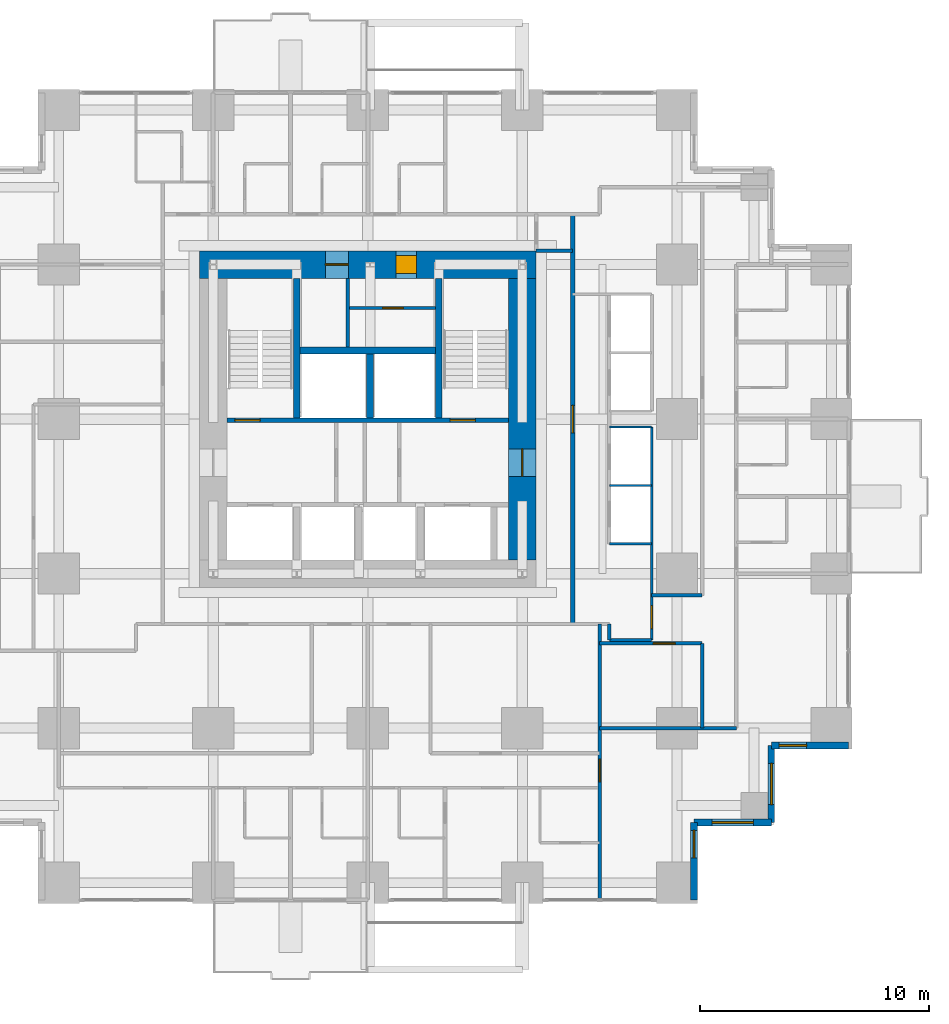
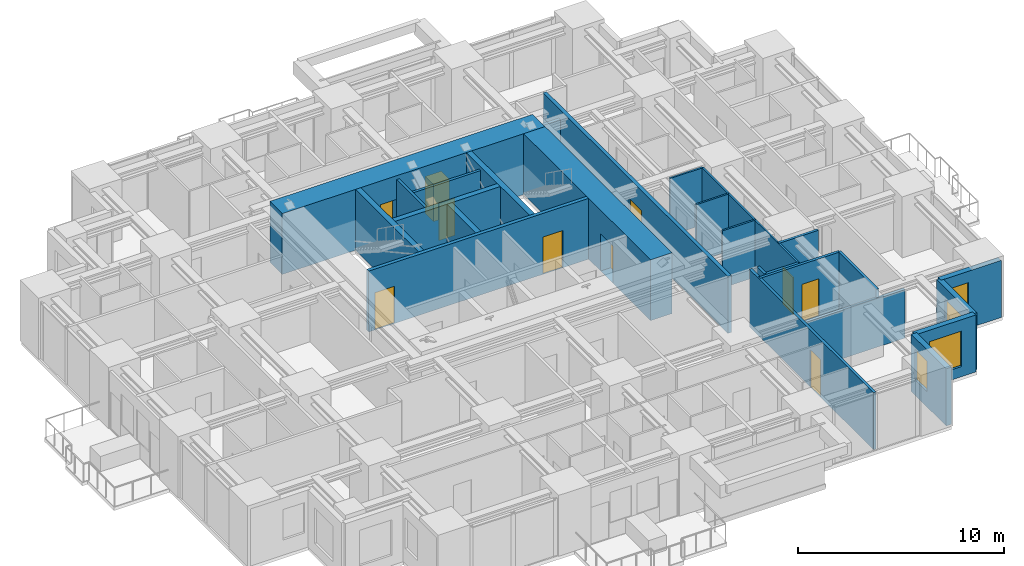
# One storey, part 9 of 13: 26 walls, 10 doors, 4 windows, 14 openings.
"""IFC4 building model written with IfcOpenShell, lengths in metres."""

import ifcopenshell
import ifcopenshell.guid

model = None  # the IFC model being written
_history = None  # IfcOwnerHistory: only IFC2X3 demands one
_inside = {}  # id of a spatial element -> (the spatial element, [elements in it])
_under = {}  # id of a project, library or spatial element -> (it, [spatial elements below it])
_declared = {}  # id of a project -> (the project, [libraries it declares])
_typed = {}  # id of a type object -> (the type object, [elements of that type])
_made_of = {}  # id of a material, layer set ... -> (it, [elements and type objects made of it])


def new_model(schema):
    """Start an empty IFC model of exactly this schema.

    Asked for "IFC4X3", IfcOpenShell would pick the latest addendum, in which some entities
    have other attributes; the version numbers below select the first issue.
    IFC2X3 requires an IfcOwnerHistory on every rooted entity: one is made here for all.
    """
    global model, _history
    if schema == "IFC4X3":
        model = ifcopenshell.file(schema_version=(4, 3, 0, 0))
    else:
        model = ifcopenshell.file(schema=schema)
    _inside.clear()
    _under.clear()
    _declared.clear()
    _typed.clear()
    _made_of.clear()
    _history = None
    if model.schema == "IFC2X3":
        org = make("IfcOrganization", Name="unknown")
        user = make(
            "IfcPersonAndOrganization",
            ThePerson=make("IfcPerson", FamilyName="unknown"),
            TheOrganization=org,
        )
        app = make(
            "IfcApplication",
            ApplicationDeveloper=org,
            Version="unknown",
            ApplicationFullName="unknown",
            ApplicationIdentifier="unknown",
        )
        _history = make(
            "IfcOwnerHistory",
            OwningUser=user,
            OwningApplication=app,
            ChangeAction="ADDED",
            CreationDate=0,
        )
    return model


def make(cls, **values):
    """One entity of the class cls with the attributes given. An attribute that is None is left unset."""
    return model.create_entity(
        cls, **{name: value for name, value in values.items() if value is not None}
    )


def rooted(cls, **values):
    """An entity with a GlobalId (a new one), such as an element, a storey or a relation."""
    return make(cls, GlobalId=ifcopenshell.guid.new(), OwnerHistory=_history, **values)


def si_unit(unit_type, name, prefix=None):
    """IfcSIUnit, for example si_unit("LENGTHUNIT", "METRE", prefix="MILLI")."""
    return make("IfcSIUnit", UnitType=unit_type, Prefix=prefix, Name=name)


def assignment(units):
    """IfcUnitAssignment: the units of a project."""
    return None if units is None else make("IfcUnitAssignment", Units=units)


def point(xyz):
    """IfcCartesianPoint."""
    return None if xyz is None else make("IfcCartesianPoint", Coordinates=xyz)


def direction(xyz):
    """IfcDirection."""
    return None if xyz is None else make("IfcDirection", DirectionRatios=xyz)


def frame(location, z_axis=None, x_axis=None):
    """IfcAxis2Placement3D, a coordinate frame: its origin and axes. An axis left out is left unset."""
    return make(
        "IfcAxis2Placement3D",
        Location=point(location),
        Axis=direction(z_axis),
        RefDirection=direction(x_axis),
    )


def frame_2d(location, x_axis=None):
    """IfcAxis2Placement2D, a coordinate frame in the plane: its origin and x axis."""
    return make(
        "IfcAxis2Placement2D", Location=point(location), RefDirection=direction(x_axis)
    )


def origin():
    """The frame at (0, 0, 0) with its axes left unset."""
    return frame((0.0, 0.0, 0.0))


def place(relative_to, where):
    """IfcLocalPlacement: puts the frame where relative to a parent placement (None: the world)."""
    return make(
        "IfcLocalPlacement", PlacementRelTo=relative_to, RelativePlacement=where
    )


def context(
    kind, dimensions, precision=None, world=None, true_north=None, identifier=None
):
    """IfcGeometricRepresentationContext, for example the 3D "Model" context."""
    return make(
        "IfcGeometricRepresentationContext",
        ContextIdentifier=identifier,
        ContextType=kind,
        CoordinateSpaceDimension=dimensions,
        Precision=precision,
        WorldCoordinateSystem=world,
        TrueNorth=true_north,
    )


def subcontext(parent, identifier, kind, view, scale=None):
    """IfcGeometricRepresentationSubContext, for example "Body" below "Model"."""
    return make(
        "IfcGeometricRepresentationSubContext",
        ContextIdentifier=identifier,
        ContextType=kind,
        ParentContext=parent,
        TargetScale=scale,
        TargetView=view,
    )


def project(units=None, contexts=None):
    """IfcProject with its units and contexts."""
    return rooted(
        "IfcProject",
        Name="project",
        RepresentationContexts=contexts,
        UnitsInContext=assignment(units),
    )


def spatial(cls, under=None, at=None, **own):
    """A site, building, storey or space (cls), placed at a placement, below another one or the project."""
    s = rooted(cls, ObjectPlacement=at, **own)
    if under is not None:
        _under.setdefault(under.id(), (under, []))[1].append(s)
    return s


def profile(cls, at=None, kind="AREA", **sizes):
    """A parametric profile (cls). Its sizes go by their IFC names, for example OverallWidth=200.0."""
    return make(cls, ProfileType=kind, Position=at, **sizes)


def rectangle(**sizes):
    """IfcRectangleProfileDef."""
    return profile("IfcRectangleProfileDef", **sizes)


def extrude(swept, where, along, depth):
    """IfcExtrudedAreaSolid: the profile swept, set in the frame where, extruded along a direction by depth."""
    return make(
        "IfcExtrudedAreaSolid",
        SweptArea=swept,
        Position=where,
        ExtrudedDirection=direction(along),
        Depth=depth,
    )


def shape(context_of_items, identifier, shape_type, items):
    """IfcShapeRepresentation: the items that make up one representation, for example the "Body"."""
    return make(
        "IfcShapeRepresentation",
        ContextOfItems=context_of_items,
        RepresentationIdentifier=identifier,
        RepresentationType=shape_type,
        Items=items,
    )


def material(Name=None, Category=None):
    """IfcMaterial."""
    return make("IfcMaterial", Name=Name, Category=Category)


def layer(
    of_material, thickness, ventilated=None, Name=None, Category=None, Priority=None
):
    """IfcMaterialLayer: one layer of a wall or slab, of a material (None: an air gap)."""
    return make(
        "IfcMaterialLayer",
        Material=of_material,
        LayerThickness=thickness,
        IsVentilated=ventilated,
        Name=Name,
        Category=Category,
        Priority=Priority,
    )


def layer_set(layers, Name=None):
    """IfcMaterialLayerSet."""
    return make("IfcMaterialLayerSet", MaterialLayers=layers, LayerSetName=Name)


def made_of(thing, what):
    """Note that an element or type object is made of a material, layer set ...; save() writes the relation."""
    if what is not None:
        _made_of.setdefault(what.id(), (what, []))[1].append(thing)
    return thing


def type_object(cls, material=None, **own):
    """A type object (cls), such as IfcWallType, which elements share."""
    return made_of(rooted(cls, **own), material)


def element(
    cls,
    number,
    at=None,
    inside=None,
    cuts=None,
    type_object=None,
    material=None,
    context=None,
    identifier="Body",
    shape_type=None,
    held_by="IfcProductDefinitionShape",
    body=None,
    shapes=None,
    **own,
):
    """One element of the class cls, such as IfcWall. Its Tag is "e" and its number.

    at: its placement. inside: the storey or other place that contains it. cuts: it is an
    opening in that element (IfcRelVoidsElement). A single representation is given by context,
    identifier, shape_type and body (its items); several are given by shapes. held_by: the class
    of the entity that holds the representations. save() writes the other relations.
    """
    e = rooted(cls, Tag="e%d" % number, ObjectPlacement=at, **own)
    if body is not None:
        shapes = [shape(context, identifier, shape_type, body)]
    if shapes is not None:
        e.Representation = make(held_by, Representations=shapes)
    if inside is not None:
        _inside.setdefault(inside.id(), (inside, []))[1].append(e)
    if cuts is not None:
        rooted(
            "IfcRelVoidsElement", RelatingBuildingElement=cuts, RelatedOpeningElement=e
        )
    if type_object is not None:
        _typed.setdefault(type_object.id(), (type_object, []))[1].append(e)
    return made_of(e, material)


def fill(opening, filler):
    """IfcRelFillsElement: the door or window that sits in an opening."""
    return rooted(
        "IfcRelFillsElement",
        RelatingOpeningElement=opening,
        RelatedBuildingElement=filler,
    )


def aggregate(whole, parts):
    """IfcRelAggregates: a whole, such as a stair, and the parts it consists of."""
    return rooted("IfcRelAggregates", RelatingObject=whole, RelatedObjects=parts)


def save(model, path):
    """Write the relations noted so far, then the file.

    IfcRelAggregates (storeys below a building ...), IfcRelContainedInSpatialStructure (elements
    in a storey), IfcRelDefinesByType, IfcRelAssociatesMaterial and IfcRelDeclares: one each for
    every whole, place, type object, material and project.
    """
    for whole, parts in _under.values():
        aggregate(whole, parts)
    for where, things in _inside.values():
        rooted(
            "IfcRelContainedInSpatialStructure",
            RelatedElements=things,
            RelatingStructure=where,
        )
    for kind, things in _typed.values():
        rooted("IfcRelDefinesByType", RelatedObjects=things, RelatingType=kind)
    for what, things in _made_of.values():
        rooted("IfcRelAssociatesMaterial", RelatedObjects=things, RelatingMaterial=what)
    for by, libraries in _declared.values():
        rooted("IfcRelDeclares", RelatingContext=by, RelatedDefinitions=libraries)
    model.write(path)


model = new_model("IFC4")

# Units and contexts
model_context = context("Model", 3, precision=1e-05, world=origin(), true_north=direction((0.0, 1.0)))
body_context = subcontext(model_context, "Body", "Model", "MODEL_VIEW")
ifc_project = project(units=[si_unit("LENGTHUNIT", "METRE"), si_unit("AREAUNIT", "SQUARE_METRE"), si_unit("VOLUMEUNIT", "CUBIC_METRE"), si_unit("PLANEANGLEUNIT", "RADIAN"), si_unit("MASSUNIT", "GRAM", prefix="KILO")], contexts=[model_context])

# Site, building, storey
site_placement = place(None, origin())
site = spatial("IfcSite", under=ifc_project, at=site_placement, CompositionType="ELEMENT")
building_placement = place(site_placement, origin())
building = spatial("IfcBuilding", under=site, at=building_placement, Name="Nyansa Garden Tower", CompositionType="ELEMENT")
storey_placement = place(building_placement, frame((0.0, 0.0, 101.699951171875)))
storey = spatial("IfcBuildingStorey", under=building, at=storey_placement, Name="L27", CompositionType="ELEMENT", Elevation=101.699951171875)

# Wall, openings, doors
ifc_material_1 = material(Name="Concrete C70/85", Category="concrete")
ifc_layer_1 = layer(ifc_material_1, 0.199951171875)
ifc_layer_set_1 = layer_set([ifc_layer_1], Name="Core inner wall CI200")
wall_type_1 = type_object("IfcWallType", Name="Core inner wall CI200", PredefinedType="SHEAR", material=ifc_layer_set_1)
wall_1_placement = place(storey_placement, frame((14.10009765625, 20.199951171875, 0.0), z_axis=(0.0, 0.0, 1.0), x_axis=(1.0, 0.0, 0.0)))
wall_1 = element("IfcWall", 1, at=wall_1_placement, inside=storey, type_object=wall_type_1, Name="Core inner wall L27", PredefinedType="SHEAR", context=body_context, shape_type="SweptSolid", body=[
    extrude(rectangle(XDim=12.2998046875, YDim=0.199951171875, at=frame_2d((6.14990234375, 0.0))), origin(), (0.0, 0.0, 1.0), 3.60009765625),
])
opening_1_placement = place(wall_1_placement, frame((0.35009765625, 0.0, 0.0)))
opening_1 = element("IfcOpeningElement", 2, at=opening_1_placement, cuts=wall_1, Name="Opening D05", PredefinedType="OPENING", context=body_context, shape_type="SweptSolid", body=[
    extrude(rectangle(XDim=1.10009765625, YDim=2.199951171875, at=frame_2d((0.550048828125, 1.10009765625))), frame((0.0, 0.10986328125, 0.0), z_axis=(0.0, -1.0, 0.0), x_axis=(1.0, 0.0, 0.0)), (0.0, 0.0, 1.0), 0.219970703125),
])
opening_2_placement = place(wall_1_placement, frame((9.75, 0.0, 0.0)))
opening_2 = element("IfcOpeningElement", 3, at=opening_2_placement, cuts=wall_1, Name="Opening D05", PredefinedType="OPENING", context=body_context, shape_type="SweptSolid", body=[
    extrude(rectangle(XDim=1.10009765625, YDim=2.199951171875, at=frame_2d((0.550048828125, 1.10009765625))), frame((0.0, 0.10986328125, 0.0), z_axis=(0.0, -1.0, 0.0), x_axis=(1.0, 0.0, 0.0)), (0.0, 0.0, 1.0), 0.219970703125),
])
ifc_material_2 = material(Name="Steel door, 120 minute fire resisting", Category="steel")
door_type_1 = type_object("IfcDoorType", Name="Stair door D05 1100x2200", OperationType="SINGLE_SWING_LEFT", PredefinedType="DOOR", material=ifc_material_2)
door_1_placement = place(opening_1_placement, origin())
door_1 = element("IfcDoor", 4, at=door_1_placement, inside=storey, type_object=door_type_1, Name="Stair S1 door", OperationType="SINGLE_SWING_LEFT", OverallHeight=2.199951171875, OverallWidth=1.10009765625, PredefinedType="DOOR", context=body_context, shape_type="SweptSolid", body=[
    extrude(rectangle(XDim=1.10009765625, YDim=2.199951171875, at=frame_2d((0.550048828125, 1.10009765625))), frame((0.0, 0.02490234375, 0.0), z_axis=(0.0, -1.0, 0.0), x_axis=(1.0, 0.0, 0.0)), (0.0, 0.0, 1.0), 0.050048828125),
])
fill(opening_1, door_1)
door_2_placement = place(opening_2_placement, origin())
door_2 = element("IfcDoor", 5, at=door_2_placement, inside=storey, type_object=door_type_1, Name="Stair S2 door", OperationType="SINGLE_SWING_LEFT", OverallHeight=2.199951171875, OverallWidth=1.10009765625, PredefinedType="DOOR", context=body_context, shape_type="SweptSolid", body=[
    extrude(rectangle(XDim=1.10009765625, YDim=2.199951171875, at=frame_2d((0.550048828125, 1.10009765625))), frame((0.0, 0.02490234375, 0.0), z_axis=(0.0, -1.0, 0.0), x_axis=(1.0, 0.0, 0.0)), (0.0, 0.0, 1.0), 0.050048828125),
])
fill(opening_2, door_2)

# Walls
ifc_material_3 = material(Name="Concrete C70/85", Category="concrete")
ifc_layer_2 = layer(ifc_material_3, 0.300048828125)
ifc_layer_set_2 = layer_set([ifc_layer_2], Name="Core inner wall CI300")
wall_type_2 = type_object("IfcWallType", Name="Core inner wall CI300", PredefinedType="SHEAR", material=ifc_layer_set_2)
for number, where, z_axis, x_axis, name in (
    (6, (17.14990234375, 20.300048828125, 0.0), (0.0, 0.0, 1.0), (0.0, 1.0, 0.0), "Core inner wall L27"),
    (7, (23.35009765625, 20.300048828125, 0.0), (0.0, 0.0, 1.0), (0.0, 1.0, 0.0), "Core inner wall L27"),
):
    element("IfcWall", number, at=place(storey_placement, frame(where, z_axis=z_axis, x_axis=x_axis)), inside=storey, type_object=wall_type_2, Name=name, PredefinedType="SHEAR", context=body_context, shape_type="SweptSolid", body=[
        extrude(rectangle(XDim=6.099853515625, YDim=0.300048828125, at=frame_2d((3.0498046875, 0.0))), origin(), (0.0, 0.0, 1.0), 3.60009765625),
    ])
wall_2_placement = place(storey_placement, frame((20.35009765625, 20.300048828125, 0.0), z_axis=(0.0, 0.0, 1.0), x_axis=(0.0, 1.0, 0.0)))
element("IfcWall", 8, at=wall_2_placement, inside=storey, type_object=wall_type_2, Name="Core inner wall L27", PredefinedType="SHEAR", context=body_context, shape_type="SweptSolid", body=[
    extrude(rectangle(XDim=2.800048828125, YDim=0.300048828125, at=frame_2d((1.39990234375, 0.0))), origin(), (0.0, 0.0, 1.0), 3.60009765625),
])
wall_3_placement = place(storey_placement, frame((17.300048828125, 23.25, 0.0), z_axis=(0.0, 0.0, 1.0), x_axis=(1.0, 0.0, 0.0)))
element("IfcWall", 9, at=wall_3_placement, inside=storey, type_object=wall_type_2, Name="Core inner wall L27", PredefinedType="SHEAR", context=body_context, shape_type="SweptSolid", body=[
    extrude(rectangle(XDim=5.89990234375, YDim=0.300048828125, at=frame_2d((2.949951171875, 0.0))), origin(), (0.0, 0.0, 1.0), 3.60009765625),
])

# Wall, opening, door
ifc_material_4 = material(Name="Concrete C80/95", Category="concrete")
ifc_layer_3 = layer(ifc_material_4, 1.199951171875)
ifc_layer_set_3 = layer_set([ifc_layer_3], Name="Core wall CW1200")
wall_type_3 = type_object("IfcWallType", Name="Core wall CW1200", PredefinedType="SHEAR", material=ifc_layer_set_3)
wall_4_placement = place(storey_placement, frame((27.0, 14.10009765625, 0.0), z_axis=(0.0, 0.0, 1.0), x_axis=(0.0, 1.0, 0.0)))
wall_4 = element("IfcWall", 10, at=wall_4_placement, inside=storey, type_object=wall_type_3, Name="Core wall E L27", PredefinedType="SHEAR", context=body_context, shape_type="SweptSolid", body=[
    extrude(rectangle(XDim=12.2998046875, YDim=1.199951171875, at=frame_2d((6.14990234375, 0.0))), origin(), (0.0, 0.0, 1.0), 3.60009765625),
])
opening_3_placement = place(wall_4_placement, frame((3.64990234375, 0.0, 0.0)))
opening_3 = element("IfcOpeningElement", 11, at=opening_3_placement, cuts=wall_4, Name="Opening D06", PredefinedType="OPENING", context=body_context, shape_type="SweptSolid", body=[
    extrude(rectangle(XDim=1.199951171875, YDim=2.199951171875, at=frame_2d((0.60009765625, 1.10009765625))), frame((0.0, 0.60986328125, 0.0), z_axis=(0.0, -1.0, 0.0), x_axis=(1.0, 0.0, 0.0)), (0.0, 0.0, 1.0), 1.219970703125),
])
ifc_material_5 = material(Name="Steel door, 120 minute fire resisting", Category="steel")
door_type_2 = type_object("IfcDoorType", Name="Lobby door D06 1200x2200", OperationType="DOUBLE_DOOR_SINGLE_SWING", PredefinedType="DOOR", material=ifc_material_5)
door_3_placement = place(opening_3_placement, origin())
door_3 = element("IfcDoor", 12, at=door_3_placement, inside=storey, type_object=door_type_2, Name="Lift lobby door east", OperationType="DOUBLE_DOOR_SINGLE_SWING", OverallHeight=2.199951171875, OverallWidth=1.199951171875, PredefinedType="DOOR", context=body_context, shape_type="SweptSolid", body=[
    extrude(rectangle(XDim=1.199951171875, YDim=2.199951171875, at=frame_2d((0.60009765625, 1.10009765625))), frame((0.0, 0.02490234375, 0.0), z_axis=(0.0, -1.0, 0.0), x_axis=(1.0, 0.0, 0.0)), (0.0, 0.0, 1.0), 0.050048828125),
])
fill(opening_3, door_3)

# Wall, openings, doors
wall_5_placement = place(storey_placement, frame((27.60009765625, 27.0, 0.0), z_axis=(0.0, 0.0, 1.0), x_axis=(-1.0, 0.0, 0.0)))
wall_5 = element("IfcWall", 13, at=wall_5_placement, inside=storey, type_object=wall_type_3, Name="Core wall N L27", PredefinedType="SHEAR", context=body_context, shape_type="SweptSolid", body=[
    extrude(rectangle(XDim=14.7001953125, YDim=1.199951171875, at=frame_2d((7.35009765625, 0.0))), origin(), (0.0, 0.0, 1.0), 3.60009765625),
])
opening_4_placement = place(wall_5_placement, frame((5.22509765625, 0.0, 0.0)))
opening_4 = element("IfcOpeningElement", 14, at=opening_4_placement, cuts=wall_5, Name="Opening D15", PredefinedType="OPENING", context=body_context, shape_type="SweptSolid", body=[
    extrude(rectangle(XDim=0.89990234375, YDim=2.199951171875, at=frame_2d((0.449951171875, 1.10009765625))), frame((0.0, 0.60986328125, 0.0), z_axis=(0.0, -1.0, 0.0), x_axis=(1.0, 0.0, 0.0)), (0.0, 0.0, 1.0), 1.219970703125),
])
opening_5_placement = place(wall_5_placement, frame((8.199951171875, 0.0, 0.0)))
opening_5 = element("IfcOpeningElement", 15, at=opening_5_placement, cuts=wall_5, Name="Opening D07", PredefinedType="OPENING", context=body_context, shape_type="SweptSolid", body=[
    extrude(rectangle(XDim=1.0, YDim=2.199951171875, at=frame_2d((0.5, 1.10009765625))), frame((0.0, 0.60986328125, 0.0), z_axis=(0.0, -1.0, 0.0), x_axis=(1.0, 0.0, 0.0)), (0.0, 0.0, 1.0), 1.219970703125),
])
ifc_material_6 = material(Name="Timber flush door, 60 minute fire resisting, self-closing", Category="wood")
door_type_3 = type_object("IfcDoorType", Name="Core room door D15 900x2200", OperationType="SINGLE_SWING_LEFT", PredefinedType="DOOR", material=ifc_material_6)
door_4_placement = place(opening_4_placement, origin())
door_4 = element("IfcDoor", 16, at=door_4_placement, inside=storey, type_object=door_type_3, Name="Core room door", OperationType="SINGLE_SWING_LEFT", OverallHeight=2.199951171875, OverallWidth=0.89990234375, PredefinedType="DOOR", context=body_context, shape_type="SweptSolid", body=[
    extrude(rectangle(XDim=0.89990234375, YDim=2.199951171875, at=frame_2d((0.449951171875, 1.10009765625))), frame((0.0, 0.39990234375, 0.0), z_axis=(0.0, -1.0, 0.0), x_axis=(1.0, 0.0, 0.0)), (0.0, 0.0, 1.0), 0.800048828125),
])
fill(opening_4, door_4)
ifc_material_7 = material(Name="Steel door, 120 minute fire resisting", Category="steel")
door_type_4 = type_object("IfcDoorType", Name="Riser door D07 1000x2200", OperationType="SINGLE_SWING_LEFT", PredefinedType="DOOR", material=ifc_material_7)
door_5_placement = place(opening_5_placement, origin())
door_5 = element("IfcDoor", 17, at=door_5_placement, inside=storey, type_object=door_type_4, Name="Riser and refuse room door", OperationType="SINGLE_SWING_LEFT", OverallHeight=2.199951171875, OverallWidth=1.0, PredefinedType="DOOR", context=body_context, shape_type="SweptSolid", body=[
    extrude(rectangle(XDim=1.0, YDim=2.199951171875, at=frame_2d((0.5, 1.10009765625))), frame((0.0, 0.02490234375, 0.0), z_axis=(0.0, -1.0, 0.0), x_axis=(1.0, 0.0, 0.0)), (0.0, 0.0, 1.0), 0.050048828125),
])
fill(opening_5, door_5)

# Wall, opening, door
ifc_material_8 = material(Name="Concrete blockwork, plastered, 60 minute fire resisting", Category="masonry")
ifc_layer_4 = layer(ifc_material_8, 0.199951171875)
ifc_layer_set_4 = layer_set([ifc_layer_4], Name="Corridor wall FW200")
wall_type_4 = type_object("IfcWallType", Name="Corridor wall FW200", PredefinedType="PARTITIONING", material=ifc_layer_set_4)
wall_6_placement = place(storey_placement, frame((29.199951171875, 11.300048828125, 0.0), z_axis=(0.0, 0.0, 1.0), x_axis=(0.0, 1.0, 0.0)))
wall_6 = element("IfcWall", 18, at=wall_6_placement, inside=storey, type_object=wall_type_4, Name="Corridor wall", PredefinedType="PARTITIONING", context=body_context, shape_type="SweptSolid", body=[
    extrude(rectangle(XDim=17.89990234375, YDim=0.199951171875, at=frame_2d((8.949951171875, 0.0))), origin(), (0.0, 0.0, 1.0), 3.375),
])
opening_6_placement = place(wall_6_placement, frame((8.35009765625, 0.0, 0.0)))
opening_6 = element("IfcOpeningElement", 19, at=opening_6_placement, cuts=wall_6, Name="Opening D06", PredefinedType="OPENING", context=body_context, shape_type="SweptSolid", body=[
    extrude(rectangle(XDim=1.199951171875, YDim=2.199951171875, at=frame_2d((0.60009765625, 1.10009765625))), frame((0.0, 0.10986328125, 0.0), z_axis=(0.0, -1.0, 0.0), x_axis=(1.0, 0.0, 0.0)), (0.0, 0.0, 1.0), 0.219970703125),
])
door_6_placement = place(opening_6_placement, origin())
door_6 = element("IfcDoor", 20, at=door_6_placement, inside=storey, type_object=door_type_2, Name="Low-rise lift lobby door", OperationType="DOUBLE_DOOR_SINGLE_SWING", OverallHeight=2.199951171875, OverallWidth=1.199951171875, PredefinedType="DOOR", context=body_context, shape_type="SweptSolid", body=[
    extrude(rectangle(XDim=1.199951171875, YDim=2.199951171875, at=frame_2d((0.60009765625, 1.10009765625))), frame((0.0, 0.02490234375, 0.0), z_axis=(0.0, -1.0, 0.0), x_axis=(1.0, 0.0, 0.0)), (0.0, 0.0, 1.0), 0.050048828125),
])
fill(opening_6, door_6)

# Walls
ifc_material_9 = material(Name="Steel-stud shaft wall, two layers fire-rated board, EI 120", Category="steel")
ifc_layer_5 = layer(ifc_material_9, 0.10009765625)
ifc_layer_set_5 = layer_set([ifc_layer_5], Name="Lift shaft wall SW100")
wall_type_5 = type_object("IfcWallType", Name="Lift shaft wall SW100", PredefinedType="SHEAR", material=ifc_layer_set_5)
for number, where, z_axis, x_axis, name in (
    (21, (30.800048828125, 14.800048828125, 0.0), (0.0, 0.0, 1.0), (1.0, 0.0, 0.0), "Lift shaft wall"),
    (22, (30.800048828125, 17.35009765625, 0.0), (0.0, 0.0, 1.0), (1.0, 0.0, 0.0), "Lift shaft wall"),
    (23, (30.800048828125, 19.89990234375, 0.0), (0.0, 0.0, 1.0), (1.0, 0.0, 0.0), "Lift shaft wall"),
):
    element("IfcWall", number, at=place(storey_placement, frame(where, z_axis=z_axis, x_axis=x_axis)), inside=storey, type_object=wall_type_5, Name=name, PredefinedType="SHEAR", context=body_context, shape_type="SweptSolid", body=[
        extrude(rectangle(XDim=1.849853515625, YDim=0.10009765625, at=frame_2d((0.9248046875, 0.0))), origin(), (0.0, 0.0, 1.0), 3.375),
    ])

# Wall, opening, door
wall_7_placement = place(storey_placement, frame((32.64990234375, 10.60009765625, 0.0), z_axis=(0.0, 0.0, 1.0), x_axis=(0.0, 1.0, 0.0)))
wall_7 = element("IfcWall", 24, at=wall_7_placement, inside=storey, type_object=wall_type_5, Name="Lift shaft wall", PredefinedType="SHEAR", context=body_context, shape_type="SweptSolid", body=[
    extrude(rectangle(XDim=9.2998046875, YDim=0.10009765625, at=frame_2d((4.64990234375, 0.0))), origin(), (0.0, 0.0, 1.0), 3.375),
])
opening_7_placement = place(wall_7_placement, frame((0.5, 0.0, 0.0)))
opening_7 = element("IfcOpeningElement", 25, at=opening_7_placement, cuts=wall_7, Name="Opening D03", PredefinedType="OPENING", context=body_context, shape_type="SweptSolid", body=[
    extrude(rectangle(XDim=1.0, YDim=2.199951171875, at=frame_2d((0.5, 1.10009765625))), frame((0.0, 0.06005859375, 0.0), z_axis=(0.0, -1.0, 0.0), x_axis=(1.0, 0.0, 0.0)), (0.0, 0.0, 1.0), 0.1201171875),
])
ifc_material_10 = material(Name="Timber flush door, 60 minute fire resisting", Category="wood")
door_type_5 = type_object("IfcDoorType", Name="Cluster entrance door D03 1000x2200", OperationType="SINGLE_SWING_LEFT", PredefinedType="DOOR", material=ifc_material_10)
door_7_placement = place(opening_7_placement, origin())
door_7 = element("IfcDoor", 26, at=door_7_placement, inside=storey, type_object=door_type_5, Name="Door L27-041", OperationType="SINGLE_SWING_LEFT", OverallHeight=2.199951171875, OverallWidth=1.0, PredefinedType="DOOR", context=body_context, shape_type="SweptSolid", body=[
    extrude(rectangle(XDim=1.0, YDim=2.199951171875, at=frame_2d((0.5, 1.10009765625))), frame((0.0, 0.02490234375, 0.0), z_axis=(0.0, -1.0, 0.0), x_axis=(1.0, 0.0, 0.0)), (0.0, 0.0, 1.0), 0.050048828125),
])
fill(opening_7, door_7)

# Wall
ifc_material_11 = material(Name="Blockwork, plastered both sides", Category="masonry")
ifc_layer_6 = layer(ifc_material_11, 0.14990234375)
ifc_layer_set_6 = layer_set([ifc_layer_6], Name="Partition PW150")
wall_type_6 = type_object("IfcWallType", Name="Partition PW150", PredefinedType="PARTITIONING", material=ifc_layer_set_6)
wall_8_placement = place(storey_placement, frame((19.375, 23.39990234375, 0.0), z_axis=(0.0, 0.0, 1.0), x_axis=(0.0, 1.0, 0.0)))
element("IfcWall", 27, at=wall_8_placement, inside=storey, type_object=wall_type_6, Name="Partition", PredefinedType="PARTITIONING", context=body_context, shape_type="SweptSolid", body=[
    extrude(rectangle(XDim=3.0, YDim=0.14990234375, at=frame_2d((1.5, 0.0))), origin(), (0.0, 0.0, 1.0), 3.375),
])

# Wall, opening, door
wall_9_placement = place(storey_placement, frame((19.449951171875, 25.10009765625, 0.0), z_axis=(0.0, 0.0, 1.0), x_axis=(1.0, 0.0, 0.0)))
wall_9 = element("IfcWall", 28, at=wall_9_placement, inside=storey, type_object=wall_type_6, Name="Partition", PredefinedType="PARTITIONING", context=body_context, shape_type="SweptSolid", body=[
    extrude(rectangle(XDim=3.75, YDim=0.14990234375, at=frame_2d((1.875, 0.0))), origin(), (0.0, 0.0, 1.0), 3.375),
])
opening_8_placement = place(wall_9_placement, frame((1.449951171875, 0.0, 0.0)))
opening_8 = element("IfcOpeningElement", 29, at=opening_8_placement, cuts=wall_9, Name="Opening D02", PredefinedType="OPENING", context=body_context, shape_type="SweptSolid", body=[
    extrude(rectangle(XDim=0.89990234375, YDim=2.199951171875, at=frame_2d((0.449951171875, 1.10009765625))), frame((0.0, 0.0849609375, 0.0), z_axis=(0.0, -1.0, 0.0), x_axis=(1.0, 0.0, 0.0)), (0.0, 0.0, 1.0), 0.169921875),
])
ifc_material_12 = material(Name="Timber flush door", Category="wood")
door_type_6 = type_object("IfcDoorType", Name="En-suite door D02 900x2200", OperationType="SINGLE_SWING_RIGHT", PredefinedType="DOOR", material=ifc_material_12)
door_8_placement = place(opening_8_placement, origin())
door_8 = element("IfcDoor", 30, at=door_8_placement, inside=storey, type_object=door_type_6, Name="Staff WC door", OperationType="SINGLE_SWING_RIGHT", OverallHeight=2.199951171875, OverallWidth=0.89990234375, PredefinedType="DOOR", context=body_context, shape_type="SweptSolid", body=[
    extrude(rectangle(XDim=0.89990234375, YDim=2.199951171875, at=frame_2d((0.449951171875, 1.10009765625))), frame((0.0, 0.02490234375, 0.0), z_axis=(0.0, -1.0, 0.0), x_axis=(1.0, 0.0, 0.0)), (0.0, 0.0, 1.0), 0.050048828125),
])
fill(opening_8, door_8)

# Wall
wall_10_placement = place(storey_placement, frame((27.60009765625, 27.60009765625, 0.0), z_axis=(0.0, 0.0, 1.0), x_axis=(1.0, 0.0, 0.0)))
element("IfcWall", 31, at=wall_10_placement, inside=storey, type_object=wall_type_6, Name="Partition", PredefinedType="PARTITIONING", context=body_context, shape_type="SweptSolid", body=[
    extrude(rectangle(XDim=1.599853515625, YDim=0.14990234375, at=frame_2d((0.7998046875, 0.0))), origin(), (0.0, 0.0, 1.0), 2.80615234375),
])

# Wall, opening, door
wall_11_placement = place(storey_placement, frame((30.375, -0.73388671875, 0.0), z_axis=(0.0, 0.0, 1.0), x_axis=(0.0, 1.0, 0.0)))
wall_11 = element("IfcWall", 32, at=wall_11_placement, inside=storey, type_object=wall_type_6, Name="Partition", PredefinedType="PARTITIONING", context=body_context, shape_type="SweptSolid", body=[
    extrude(rectangle(XDim=12.033935546875, YDim=0.14990234375, at=frame_2d((6.01708984375, 0.0))), origin(), (0.0, 0.0, 1.0), 3.375),
])
opening_9_placement = place(wall_11_placement, frame((5.134033203125, 0.0, 0.0)))
opening_9 = element("IfcOpeningElement", 33, at=opening_9_placement, cuts=wall_11, Name="Opening D03", PredefinedType="OPENING", context=body_context, shape_type="SweptSolid", body=[
    extrude(rectangle(XDim=1.0, YDim=2.199951171875, at=frame_2d((0.5, 1.10009765625))), frame((0.0, 0.0849609375, 0.0), z_axis=(0.0, -1.0, 0.0), x_axis=(1.0, 0.0, 0.0)), (0.0, 0.0, 1.0), 0.169921875),
])
door_9_placement = place(opening_9_placement, origin())
door_9 = element("IfcDoor", 34, at=door_9_placement, inside=storey, type_object=door_type_5, Name="Door L27-032", OperationType="SINGLE_SWING_LEFT", OverallHeight=2.199951171875, OverallWidth=1.0, PredefinedType="DOOR", context=body_context, shape_type="SweptSolid", body=[
    extrude(rectangle(XDim=1.0, YDim=2.199951171875, at=frame_2d((0.5, 1.10009765625))), frame((0.0, 0.02490234375, 0.0), z_axis=(0.0, -1.0, 0.0), x_axis=(1.0, 0.0, 0.0)), (0.0, 0.0, 1.0), 0.050048828125),
])
fill(opening_9, door_9)

# Wall
wall_12_placement = place(storey_placement, frame((30.375, 6.75, 0.0), z_axis=(0.0, 0.0, 1.0), x_axis=(1.0, 0.0, 0.0)))
element("IfcWall", 35, at=wall_12_placement, inside=storey, type_object=wall_type_6, Name="Partition", PredefinedType="PARTITIONING", context=body_context, shape_type="SweptSolid", body=[
    extrude(rectangle(XDim=5.97509765625, YDim=0.14990234375, at=frame_2d((2.987548828125, 0.0))), origin(), (0.0, 0.0, 1.0), 2.876953125),
])

# Wall, opening, door
wall_13_placement = place(storey_placement, frame((30.375, 10.449951171875, 0.0), z_axis=(0.0, 0.0, 1.0), x_axis=(1.0, 0.0, 0.0)))
wall_13 = element("IfcWall", 36, at=wall_13_placement, inside=storey, type_object=wall_type_6, Name="Partition", PredefinedType="PARTITIONING", context=body_context, shape_type="SweptSolid", body=[
    extrude(rectangle(XDim=4.47509765625, YDim=0.14990234375, at=frame_2d((2.237548828125, 0.0))), origin(), (0.0, 0.0, 1.0), 3.375),
])
opening_10_placement = place(wall_13_placement, frame((2.35009765625, 0.0, 0.0)))
opening_10 = element("IfcOpeningElement", 37, at=opening_10_placement, cuts=wall_13, Name="Opening D01", PredefinedType="OPENING", context=body_context, shape_type="SweptSolid", body=[
    extrude(rectangle(XDim=0.949951171875, YDim=2.199951171875, at=frame_2d((0.47509765625, 1.10009765625))), frame((0.0, 0.0849609375, 0.0), z_axis=(0.0, -1.0, 0.0), x_axis=(1.0, 0.0, 0.0)), (0.0, 0.0, 1.0), 0.169921875),
])
ifc_material_13 = material(Name="Timber flush door, 30 minute fire resisting", Category="wood")
door_type_7 = type_object("IfcDoorType", Name="Bedroom door D01 950x2200", OperationType="SINGLE_SWING_LEFT", PredefinedType="DOOR", material=ifc_material_13)
door_10_placement = place(opening_10_placement, origin())
door_10 = element("IfcDoor", 38, at=door_10_placement, inside=storey, type_object=door_type_7, Name="Door L27-043", OperationType="SINGLE_SWING_LEFT", OverallHeight=2.199951171875, OverallWidth=0.949951171875, PredefinedType="DOOR", context=body_context, shape_type="SweptSolid", body=[
    extrude(rectangle(XDim=0.949951171875, YDim=2.199951171875, at=frame_2d((0.47509765625, 1.10009765625))), frame((0.0, 0.02490234375, 0.0), z_axis=(0.0, -1.0, 0.0), x_axis=(1.0, 0.0, 0.0)), (0.0, 0.0, 1.0), 0.050048828125),
])
fill(opening_10, door_10)

# Walls
wall_14_placement = place(storey_placement, frame((30.800048828125, 10.60009765625, 0.0), z_axis=(0.0, 0.0, 1.0), x_axis=(0.0, 1.0, 0.0)))
element("IfcWall", 39, at=wall_14_placement, inside=storey, type_object=wall_type_6, Name="Partition", PredefinedType="PARTITIONING", context=body_context, shape_type="SweptSolid", body=[
    extrude(rectangle(XDim=0.699951171875, YDim=0.14990234375, at=frame_2d((0.35009765625, 0.0))), origin(), (0.0, 0.0, 1.0), 3.375),
])
wall_15_placement = place(storey_placement, frame((30.800048828125, 10.60009765625, 0.0), z_axis=(0.0, 0.0, 1.0), x_axis=(1.0, 0.0, 0.0)))
element("IfcWall", 40, at=wall_15_placement, inside=storey, type_object=wall_type_6, Name="Partition", PredefinedType="PARTITIONING", context=body_context, shape_type="SweptSolid", body=[
    extrude(rectangle(XDim=1.849853515625, YDim=0.14990234375, at=frame_2d((0.9248046875, 0.0))), origin(), (0.0, 0.0, 1.0), 3.375),
])
wall_16_placement = place(storey_placement, frame((32.64990234375, 12.550048828125, 0.0), z_axis=(0.0, 0.0, 1.0), x_axis=(1.0, 0.0, 0.0)))
element("IfcWall", 41, at=wall_16_placement, inside=storey, type_object=wall_type_6, Name="Partition", PredefinedType="PARTITIONING", context=body_context, shape_type="SweptSolid", body=[
    extrude(rectangle(XDim=2.2001953125, YDim=0.14990234375, at=frame_2d((1.10009765625, 0.0))), origin(), (0.0, 0.0, 1.0), 3.375),
])
wall_17_placement = place(storey_placement, frame((34.85009765625, 6.75, 0.0), z_axis=(0.0, 0.0, 1.0), x_axis=(0.0, 1.0, 0.0)))
element("IfcWall", 42, at=wall_17_placement, inside=storey, type_object=wall_type_6, Name="Partition", PredefinedType="PARTITIONING", context=body_context, shape_type="SweptSolid", body=[
    extrude(rectangle(XDim=3.699951171875, YDim=0.14990234375, at=frame_2d((1.85009765625, 0.0))), origin(), (0.0, 0.0, 1.0), 3.375),
])

# Wall, opening, window
ifc_material_14 = material(Name="Turquoise glazed tile on concrete blockwork", Category="masonry")
ifc_layer_7 = layer(ifc_material_14, 0.300048828125)
ifc_layer_set_7 = layer_set([ifc_layer_7], Name="Tiled corner wall TW300")
wall_type_7 = type_object("IfcWallType", Name="Tiled corner wall TW300", PredefinedType="SOLIDWALL", material=ifc_layer_set_7)
wall_18_placement = place(storey_placement, frame((34.5, -0.75, 0.0), z_axis=(0.0, 0.0, 1.0), x_axis=(0.0, 1.0, 0.0)))
wall_18 = element("IfcWall", 43, at=wall_18_placement, inside=storey, type_object=wall_type_7, Name="Tiled corner wall L27", PredefinedType="SOLIDWALL", context=body_context, shape_type="SweptSolid", body=[
    extrude(rectangle(XDim=3.375, YDim=0.300048828125, at=frame_2d((1.6875, 0.0))), origin(), (0.0, 0.0, 1.0), 3.375),
])
opening_11_placement = place(wall_18_placement, frame((1.83251953125, 0.0, 0.89990234375)))
opening_11 = element("IfcOpeningElement", 44, at=opening_11_placement, cuts=wall_18, Name="Opening W4", PredefinedType="OPENING", context=body_context, shape_type="SweptSolid", body=[
    extrude(rectangle(XDim=1.199951171875, YDim=1.800048828125, at=frame_2d((0.60009765625, 0.89990234375))), frame((0.0, 0.159912109375, 0.0), z_axis=(0.0, -1.0, 0.0), x_axis=(1.0, 0.0, 0.0)), (0.0, 0.0, 1.0), 0.320068359375),
])
ifc_material_15 = material(Name="Black aluminium frame, dark tinted double glazing", Category="aluminium")
window_type_1 = type_object("IfcWindowType", Name="Window W4 1200x1800", PartitioningType="SINGLE_PANEL", PredefinedType="WINDOW", material=ifc_material_15)
window_1_placement = place(opening_11_placement, origin())
window_1 = element("IfcWindow", 45, at=window_1_placement, inside=storey, type_object=window_type_1, Name="Corner window L27", OverallHeight=1.800048828125, OverallWidth=1.199951171875, PartitioningType="SINGLE_PANEL", PredefinedType="WINDOW", context=body_context, shape_type="SweptSolid", body=[
    extrude(rectangle(XDim=1.199951171875, YDim=1.800048828125, at=frame_2d((0.60009765625, 0.89990234375))), frame((0.0, 0.030029296875, 0.0), z_axis=(0.0, -1.0, 0.0), x_axis=(1.0, 0.0, 0.0)), (0.0, 0.0, 1.0), 0.06005859375),
])
fill(opening_11, window_1)

wall_19_placement = place(storey_placement, frame((34.5, 2.625, 0.0), z_axis=(0.0, 0.0, 1.0), x_axis=(1.0, 0.0, 0.0)))
wall_19 = element("IfcWall", 46, at=wall_19_placement, inside=storey, type_object=wall_type_7, Name="Tiled corner wall L27", PredefinedType="SOLIDWALL", context=body_context, shape_type="SweptSolid", body=[
    extrude(rectangle(XDim=3.375, YDim=0.300048828125, at=frame_2d((1.6875, 0.0))), origin(), (0.0, 0.0, 1.0), 3.375),
])
opening_12_placement = place(wall_19_placement, frame((0.78759765625, 0.0, 0.60009765625)))
opening_12 = element("IfcOpeningElement", 47, at=opening_12_placement, cuts=wall_19, Name="Opening W2", PredefinedType="OPENING", context=body_context, shape_type="SweptSolid", body=[
    extrude(rectangle(XDim=1.800048828125, YDim=2.10009765625, at=frame_2d((0.89990234375, 1.050048828125))), frame((0.0, 0.159912109375, 0.0), z_axis=(0.0, -1.0, 0.0), x_axis=(1.0, 0.0, 0.0)), (0.0, 0.0, 1.0), 0.320068359375),
])
ifc_material_16 = material(Name="Black aluminium frame, dark tinted double glazing", Category="aluminium")
window_type_2 = type_object("IfcWindowType", Name="Window W2 1800x2100", PartitioningType="SINGLE_PANEL", PredefinedType="WINDOW", material=ifc_material_16)
window_2_placement = place(opening_12_placement, origin())
window_2 = element("IfcWindow", 48, at=window_2_placement, inside=storey, type_object=window_type_2, Name="Corner window L27", OverallHeight=2.10009765625, OverallWidth=1.800048828125, PartitioningType="SINGLE_PANEL", PredefinedType="WINDOW", context=body_context, shape_type="SweptSolid", body=[
    extrude(rectangle(XDim=1.800048828125, YDim=2.10009765625, at=frame_2d((0.89990234375, 1.050048828125))), frame((0.0, 0.030029296875, 0.0), z_axis=(0.0, -1.0, 0.0), x_axis=(1.0, 0.0, 0.0)), (0.0, 0.0, 1.0), 0.06005859375),
])
fill(opening_12, window_2)

wall_20_placement = place(storey_placement, frame((37.875, 2.625, 0.0), z_axis=(0.0, 0.0, 1.0), x_axis=(0.0, 1.0, 0.0)))
wall_20 = element("IfcWall", 49, at=wall_20_placement, inside=storey, type_object=wall_type_7, Name="Tiled corner wall L27", PredefinedType="SOLIDWALL", context=body_context, shape_type="SweptSolid", body=[
    extrude(rectangle(XDim=3.375, YDim=0.300048828125, at=frame_2d((1.6875, 0.0))), origin(), (0.0, 0.0, 1.0), 3.375),
])
opening_13_placement = place(wall_20_placement, frame((0.78759765625, 0.0, 0.60009765625)))
opening_13 = element("IfcOpeningElement", 50, at=opening_13_placement, cuts=wall_20, Name="Opening W2", PredefinedType="OPENING", context=body_context, shape_type="SweptSolid", body=[
    extrude(rectangle(XDim=1.800048828125, YDim=2.10009765625, at=frame_2d((0.89990234375, 1.050048828125))), frame((0.0, 0.159912109375, 0.0), z_axis=(0.0, -1.0, 0.0), x_axis=(1.0, 0.0, 0.0)), (0.0, 0.0, 1.0), 0.320068359375),
])
window_3_placement = place(opening_13_placement, origin())
window_3 = element("IfcWindow", 51, at=window_3_placement, inside=storey, type_object=window_type_2, Name="Corner window L27", OverallHeight=2.10009765625, OverallWidth=1.800048828125, PartitioningType="SINGLE_PANEL", PredefinedType="WINDOW", context=body_context, shape_type="SweptSolid", body=[
    extrude(rectangle(XDim=1.800048828125, YDim=2.10009765625, at=frame_2d((0.89990234375, 1.050048828125))), frame((0.0, 0.030029296875, 0.0), z_axis=(0.0, -1.0, 0.0), x_axis=(1.0, 0.0, 0.0)), (0.0, 0.0, 1.0), 0.06005859375),
])
fill(opening_13, window_3)

wall_21_placement = place(storey_placement, frame((37.875, 6.0, 0.0), z_axis=(0.0, 0.0, 1.0), x_axis=(1.0, 0.0, 0.0)))
wall_21 = element("IfcWall", 52, at=wall_21_placement, inside=storey, type_object=wall_type_7, Name="Tiled corner wall L27", PredefinedType="SOLIDWALL", context=body_context, shape_type="SweptSolid", body=[
    extrude(rectangle(XDim=3.375, YDim=0.300048828125, at=frame_2d((1.6875, 0.0))), origin(), (0.0, 0.0, 1.0), 3.375),
])
opening_14_placement = place(wall_21_placement, frame((0.342529296875, 0.0, 0.89990234375)))
opening_14 = element("IfcOpeningElement", 53, at=opening_14_placement, cuts=wall_21, Name="Opening W4", PredefinedType="OPENING", context=body_context, shape_type="SweptSolid", body=[
    extrude(rectangle(XDim=1.199951171875, YDim=1.800048828125, at=frame_2d((0.60009765625, 0.89990234375))), frame((0.0, 0.159912109375, 0.0), z_axis=(0.0, -1.0, 0.0), x_axis=(1.0, 0.0, 0.0)), (0.0, 0.0, 1.0), 0.320068359375),
])
window_4_placement = place(opening_14_placement, origin())
window_4 = element("IfcWindow", 54, at=window_4_placement, inside=storey, type_object=window_type_1, Name="Corner window L27", OverallHeight=1.800048828125, OverallWidth=1.199951171875, PartitioningType="SINGLE_PANEL", PredefinedType="WINDOW", context=body_context, shape_type="SweptSolid", body=[
    extrude(rectangle(XDim=1.199951171875, YDim=1.800048828125, at=frame_2d((0.60009765625, 0.89990234375))), frame((0.0, 0.030029296875, 0.0), z_axis=(0.0, -1.0, 0.0), x_axis=(1.0, 0.0, 0.0)), (0.0, 0.0, 1.0), 0.06005859375),
])
fill(opening_14, window_4)

save(model, "model.ifc")
